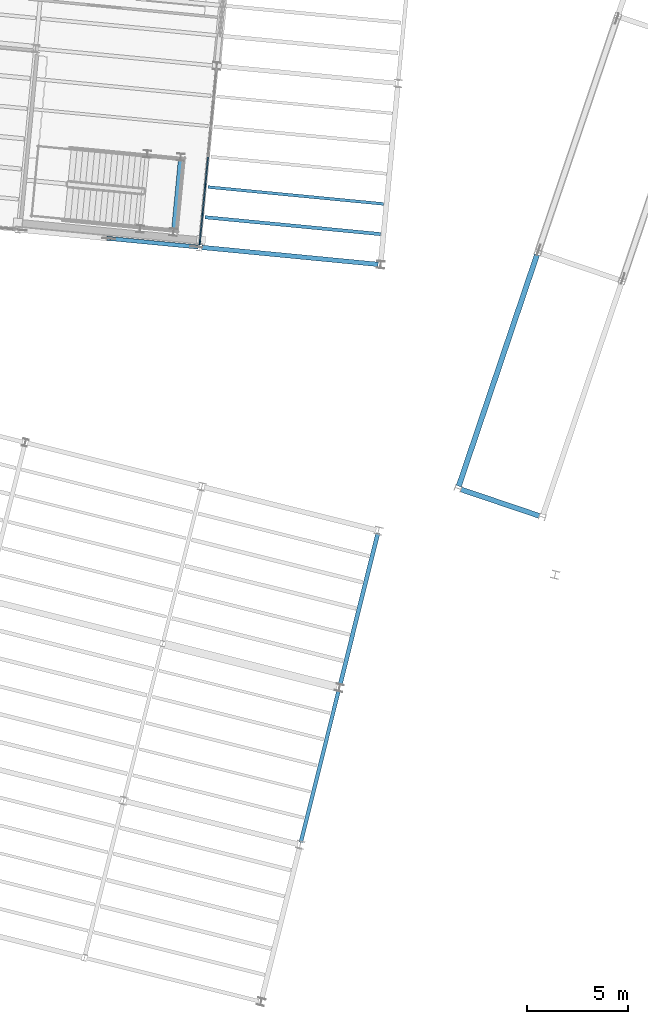
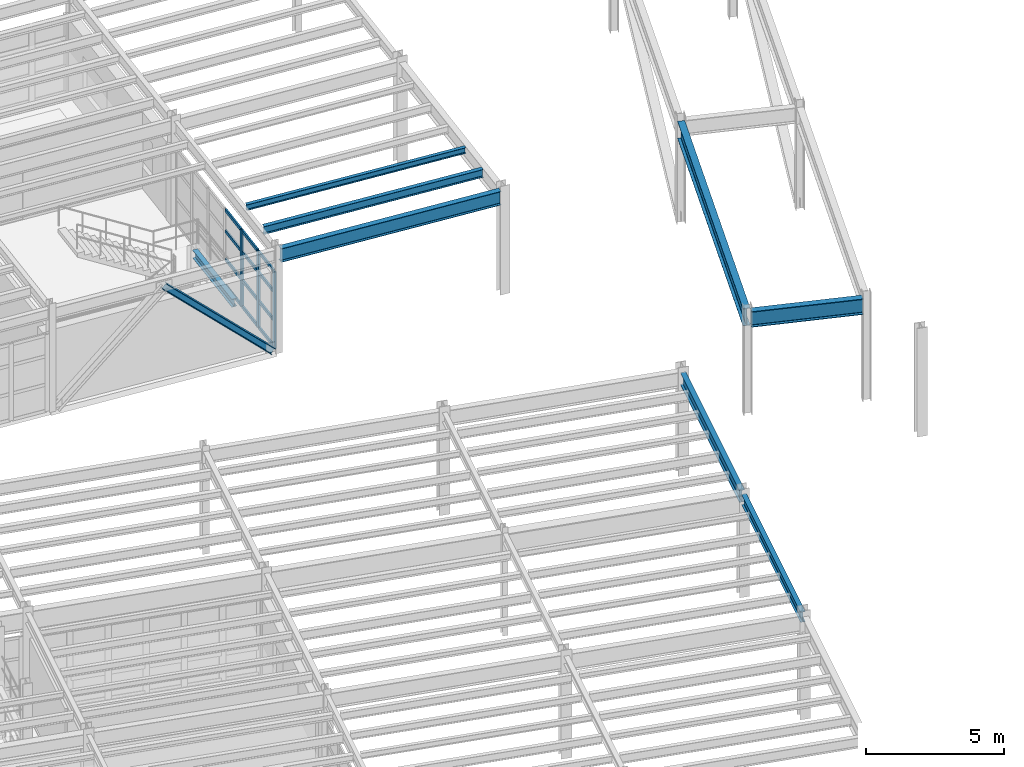
# One storey, part 37 of 109: 16 members, 8 beams, 1 element without a shape of its own.
"""IFC4 building model written with IfcOpenShell, lengths in metres."""

from ifc_helpers import new_model, si_unit, direction, frame, origin, origin_2d, place, context, subcontext, project, spatial, rectangle, i_section, extrude, material, layer, layer_set, material_profile, profile_set, type_object, element, aggregate, save


model = new_model("IFC4")

# Units and contexts
model_context = context("Model", 3, precision=1e-05, world=origin(), true_north=direction((0.0, 1.0)))
body_context = subcontext(model_context, "Body", "Model", "MODEL_VIEW")
ifc_project = project(units=[si_unit("LENGTHUNIT", "METRE"), si_unit("AREAUNIT", "SQUARE_METRE"), si_unit("VOLUMEUNIT", "CUBIC_METRE"), si_unit("PLANEANGLEUNIT", "RADIAN"), si_unit("MASSUNIT", "GRAM", prefix="KILO")], contexts=[model_context])

# Site, building, storey
site_placement = place(None, origin())
site = spatial("IfcSite", under=ifc_project, at=site_placement, CompositionType="ELEMENT")
building_placement = place(site_placement, origin())
building = spatial("IfcBuilding", under=site, at=building_placement, Name="Vireo Bluff Cable Station", CompositionType="ELEMENT")
storey_placement = place(building_placement, frame((0.0, 0.0, 4.800048828125)))
storey = spatial("IfcBuildingStorey", under=building, at=storey_placement, Name="L01", CompositionType="ELEMENT", Elevation=4.800048828125)

# Beam
ifc_material_1 = material(Name="Steel ASTM A992 Gr. 50", Category="steel")
ifc_material_profile_1 = material_profile(ifc_material_1, i_section(OverallWidth=0.2041015625, OverallDepth=0.35009765625, WebThickness=0.008544921875, FlangeThickness=0.01513671875, FilletRadius=0.010009765625, at=origin_2d()), Name="W14X48")
ifc_profile_set_1 = profile_set([ifc_material_profile_1], Name="Steel ASTM A992 Gr. 50")
beam_type_1 = type_object("IfcBeamType", Name="BM-W14X48", PredefinedType="BEAM", material=ifc_profile_set_1)
beam_1_placement = place(storey_placement, frame((93.3427734375, 65.302001953125, 2.02490234375), z_axis=(0.095884154538, 0.995392499926, 0.0), x_axis=(-0.995392499926, 0.095884154538, 0.0)))
element("IfcBeam", 1, at=beam_1_placement, inside=storey, type_object=beam_type_1, Name="ST-11 L01 landing header beam F", PredefinedType="BEAM", context=body_context, shape_type="SweptSolid", body=[
    extrude(i_section(OverallWidth=0.2041015625, OverallDepth=0.35009765625, WebThickness=0.008544921875, FlangeThickness=0.01513671875, FilletRadius=0.010009765625, at=origin_2d()), origin(), (0.0, 0.0, 1.0), 3.43994140625),
])

# Member
ifc_material_profile_2 = material_profile(ifc_material_1, i_section(OverallWidth=0.2041015625, OverallDepth=0.257080078125, WebThickness=0.0087890625, FlangeThickness=0.015625, FilletRadius=0.009033203125, at=origin_2d()), Name="W10X45")
ifc_profile_set_2 = profile_set([ifc_material_profile_2], Name="Steel ASTM A992 Gr. 50")
member_type_1 = type_object("IfcMemberType", Name="BRC-01", PredefinedType="BRACE", material=ifc_profile_set_2)
member_1_placement = place(storey_placement, frame((94.45458984375, 64.431396484375, 0.0400390625), z_axis=(-0.720263828031, 0.069360246565, 0.690224002934), x_axis=(-0.095854965264, -0.995395311238, 0.0)))
element("IfcMember", 2, at=member_1_placement, inside=storey, type_object=member_type_1, Name="V3 L01 concentric brace 54R", PredefinedType="BRACE", context=body_context, shape_type="SweptSolid", body=[
    extrude(i_section(OverallWidth=0.2041015625, OverallDepth=0.257080078125, WebThickness=0.0087890625, FlangeThickness=0.015625, FilletRadius=0.009033203125, at=origin_2d()), origin(), (0.0, 0.0, 1.0), 5.997802734375),
])

# Curtain wall, members
ifc_material_2 = material(Name="Anodized Aluminium 6063-T6", Category="aluminium")
ifc_layer = layer(ifc_material_2, 0.179931640625, Name="Anodized Aluminium 6063-T6")
ifc_layer_set = layer_set([ifc_layer], Name="Anodized Aluminium 6063-T6")
curtain_wall_type = type_object("IfcCurtainWallType", Name="CW-UNIT-1500", PredefinedType="USERDEFINED", material=ifc_layer_set)
curtain_wall_placement = place(storey_placement, origin())
curtain_wall = element("IfcCurtainWall", 3, at=curtain_wall_placement, inside=storey, type_object=curtain_wall_type, Name="V3 L01 east curtain wall CW-076", ObjectType="UNITISED CURTAIN WALL", PredefinedType="USERDEFINED")
ifc_material_profile_3 = material_profile(ifc_material_2, rectangle(XDim=0.06494140625, YDim=0.179931640625, at=origin_2d()), Name="ALU-M-65X180")
ifc_profile_set_3 = profile_set([ifc_material_profile_3], Name="Anodized Aluminium 6063-T6")
member_type_2 = type_object("IfcMemberType", Name="CWM-01", PredefinedType="MULLION", material=ifc_profile_set_3)
member_2_placement = place(storey_placement, frame((94.9072265625, 67.463623046875, 0.0), z_axis=(0.0, 0.0, 1.0), x_axis=(0.995396199521, -0.095845740533, 0.0)))
member_2 = element("IfcMember", 4, at=member_2_placement, type_object=member_type_2, Name="CW-076 mullion 5", PredefinedType="MULLION", context=body_context, shape_type="SweptSolid", body=[
    extrude(rectangle(XDim=0.06494140625, YDim=0.179931640625, at=origin_2d()), origin(), (0.0, 0.0, 1.0), 3.39990234375),
])
member_3_placement = place(storey_placement, frame((94.769287109375, 66.03125, 0.0), z_axis=(0.0, 0.0, 1.0), x_axis=(0.995396199521, -0.095845740533, 0.0)))
member_3 = element("IfcMember", 5, at=member_3_placement, type_object=member_type_2, Name="CW-076 mullion 6", PredefinedType="MULLION", context=body_context, shape_type="SweptSolid", body=[
    extrude(rectangle(XDim=0.06494140625, YDim=0.179931640625, at=origin_2d()), origin(), (0.0, 0.0, 1.0), 3.39990234375),
])
member_4_placement = place(storey_placement, frame((94.634521484375, 64.631103515625, 0.0), z_axis=(0.0, 0.0, 1.0), x_axis=(0.995396199521, -0.095845740533, 0.0)))
member_4 = element("IfcMember", 6, at=member_4_placement, type_object=member_type_2, Name="CW-076 mullion 7", PredefinedType="MULLION", context=body_context, shape_type="SweptSolid", body=[
    extrude(rectangle(XDim=0.06494140625, YDim=0.179931640625, at=origin_2d()), origin(), (0.0, 0.0, 1.0), 3.39990234375),
])
ifc_material_profile_4 = material_profile(ifc_material_2, rectangle(XDim=0.06494140625, YDim=0.139892578125, at=origin_2d()), Name="ALU-T-65X140")
ifc_profile_set_4 = profile_set([ifc_material_profile_4], Name="Anodized Aluminium 6063-T6")
member_type_3 = type_object("IfcMemberType", Name="CWT-01", PredefinedType="USERDEFINED", material=ifc_profile_set_4)
member_5_placement = place(storey_placement, frame((95.0419921875, 68.86376953125, 0.032470703125), z_axis=(-0.095756413602, -0.99540479668, 0.0), x_axis=(0.99540479668, -0.095756413602, 0.0)))
member_5 = element("IfcMember", 7, at=member_5_placement, type_object=member_type_3, Name="CW-076 transom 4.1", ObjectType="TRANSOM", PredefinedType="USERDEFINED", context=body_context, shape_type="SweptSolid", body=[
    extrude(rectangle(XDim=0.06494140625, YDim=0.139892578125, at=origin_2d()), origin(), (0.0, 0.0, 1.0), 1.374267578125),
])
member_6_placement = place(storey_placement, frame((95.0419921875, 68.86376953125, 1.18994140625), z_axis=(-0.095756413602, -0.99540479668, 0.0), x_axis=(0.99540479668, -0.095756413602, 0.0)))
member_6 = element("IfcMember", 8, at=member_6_placement, type_object=member_type_3, Name="CW-076 transom 4.2", ObjectType="TRANSOM", PredefinedType="USERDEFINED", context=body_context, shape_type="SweptSolid", body=[
    extrude(rectangle(XDim=0.06494140625, YDim=0.139892578125, at=origin_2d()), origin(), (0.0, 0.0, 1.0), 1.374267578125),
])
member_7_placement = place(storey_placement, frame((95.0419921875, 68.86376953125, 2.447998046875), z_axis=(-0.095756413602, -0.99540479668, 0.0), x_axis=(0.99540479668, -0.095756413602, 0.0)))
member_7 = element("IfcMember", 9, at=member_7_placement, type_object=member_type_3, Name="CW-076 transom 4.3", ObjectType="TRANSOM", PredefinedType="USERDEFINED", context=body_context, shape_type="SweptSolid", body=[
    extrude(rectangle(XDim=0.06494140625, YDim=0.139892578125, at=origin_2d()), origin(), (0.0, 0.0, 1.0), 1.374267578125),
])
member_8_placement = place(storey_placement, frame((95.0419921875, 68.86376953125, 3.367431640625), z_axis=(-0.095756413602, -0.99540479668, 0.0), x_axis=(0.99540479668, -0.095756413602, 0.0)))
member_8 = element("IfcMember", 10, at=member_8_placement, type_object=member_type_3, Name="CW-076 transom 4.4", ObjectType="TRANSOM", PredefinedType="USERDEFINED", context=body_context, shape_type="SweptSolid", body=[
    extrude(rectangle(XDim=0.06494140625, YDim=0.139892578125, at=origin_2d()), origin(), (0.0, 0.0, 1.0), 1.374267578125),
])
member_9_placement = place(storey_placement, frame((94.904052734375, 67.43115234375, 0.032470703125), z_axis=(-0.095773350082, -0.995403167271, 0.0), x_axis=(0.995403167271, -0.095773350082, 0.0)))
member_9 = element("IfcMember", 11, at=member_9_placement, type_object=member_type_3, Name="CW-076 transom 5.1", ObjectType="TRANSOM", PredefinedType="USERDEFINED", context=body_context, shape_type="SweptSolid", body=[
    extrude(rectangle(XDim=0.06494140625, YDim=0.139892578125, at=origin_2d()), origin(), (0.0, 0.0, 1.0), 1.3740234375),
])
member_10_placement = place(storey_placement, frame((94.904052734375, 67.43115234375, 1.18994140625), z_axis=(-0.095773350082, -0.995403167271, 0.0), x_axis=(0.995403167271, -0.095773350082, 0.0)))
member_10 = element("IfcMember", 12, at=member_10_placement, type_object=member_type_3, Name="CW-076 transom 5.2", ObjectType="TRANSOM", PredefinedType="USERDEFINED", context=body_context, shape_type="SweptSolid", body=[
    extrude(rectangle(XDim=0.06494140625, YDim=0.139892578125, at=origin_2d()), origin(), (0.0, 0.0, 1.0), 1.3740234375),
])
member_11_placement = place(storey_placement, frame((94.904052734375, 67.43115234375, 2.447998046875), z_axis=(-0.095773350082, -0.995403167271, 0.0), x_axis=(0.995403167271, -0.095773350082, 0.0)))
member_11 = element("IfcMember", 13, at=member_11_placement, type_object=member_type_3, Name="CW-076 transom 5.3", ObjectType="TRANSOM", PredefinedType="USERDEFINED", context=body_context, shape_type="SweptSolid", body=[
    extrude(rectangle(XDim=0.06494140625, YDim=0.139892578125, at=origin_2d()), origin(), (0.0, 0.0, 1.0), 1.3740234375),
])
member_12_placement = place(storey_placement, frame((94.904052734375, 67.43115234375, 3.367431640625), z_axis=(-0.095773350082, -0.995403167271, 0.0), x_axis=(0.995403167271, -0.095773350082, 0.0)))
member_12 = element("IfcMember", 14, at=member_12_placement, type_object=member_type_3, Name="CW-076 transom 5.4", ObjectType="TRANSOM", PredefinedType="USERDEFINED", context=body_context, shape_type="SweptSolid", body=[
    extrude(rectangle(XDim=0.06494140625, YDim=0.139892578125, at=origin_2d()), origin(), (0.0, 0.0, 1.0), 1.3740234375),
])
member_13_placement = place(storey_placement, frame((94.76611328125, 65.998779296875, 0.032470703125), z_axis=(-0.095719341599, -0.995408362253, 0.0), x_axis=(0.995408362253, -0.095719341599, 0.0)))
member_13 = element("IfcMember", 15, at=member_13_placement, type_object=member_type_3, Name="CW-076 transom 6.1", ObjectType="TRANSOM", PredefinedType="USERDEFINED", context=body_context, shape_type="SweptSolid", body=[
    extrude(rectangle(XDim=0.06494140625, YDim=0.139892578125, at=origin_2d()), origin(), (0.0, 0.0, 1.0), 1.341552734375),
])
member_14_placement = place(storey_placement, frame((94.76611328125, 65.998779296875, 1.18994140625), z_axis=(-0.095719341599, -0.995408362253, 0.0), x_axis=(0.995408362253, -0.095719341599, 0.0)))
member_14 = element("IfcMember", 16, at=member_14_placement, type_object=member_type_3, Name="CW-076 transom 6.2", ObjectType="TRANSOM", PredefinedType="USERDEFINED", context=body_context, shape_type="SweptSolid", body=[
    extrude(rectangle(XDim=0.06494140625, YDim=0.139892578125, at=origin_2d()), origin(), (0.0, 0.0, 1.0), 1.341552734375),
])
member_15_placement = place(storey_placement, frame((94.76611328125, 65.998779296875, 2.447998046875), z_axis=(-0.095719341599, -0.995408362253, 0.0), x_axis=(0.995408362253, -0.095719341599, 0.0)))
member_15 = element("IfcMember", 17, at=member_15_placement, type_object=member_type_3, Name="CW-076 transom 6.3", ObjectType="TRANSOM", PredefinedType="USERDEFINED", context=body_context, shape_type="SweptSolid", body=[
    extrude(rectangle(XDim=0.06494140625, YDim=0.139892578125, at=origin_2d()), origin(), (0.0, 0.0, 1.0), 1.341552734375),
])
member_16_placement = place(storey_placement, frame((94.76611328125, 65.998779296875, 3.367431640625), z_axis=(-0.095719341599, -0.995408362253, 0.0), x_axis=(0.995408362253, -0.095719341599, 0.0)))
member_16 = element("IfcMember", 18, at=member_16_placement, type_object=member_type_3, Name="CW-076 transom 6.4", ObjectType="TRANSOM", PredefinedType="USERDEFINED", context=body_context, shape_type="SweptSolid", body=[
    extrude(rectangle(XDim=0.06494140625, YDim=0.139892578125, at=origin_2d()), origin(), (0.0, 0.0, 1.0), 1.341552734375),
])
aggregate(curtain_wall, [member_2, member_3, member_4, member_5, member_6, member_7, member_8, member_9, member_10, member_11, member_12, member_13, member_14, member_15, member_16])

# Beams
ifc_material_profile_5 = material_profile(ifc_material_1, i_section(OverallWidth=0.257080078125, OverallDepth=0.693115234375, WebThickness=0.014404296875, FlangeThickness=0.023681640625, FilletRadius=0.014892578125, at=origin_2d()), Name="W27X114")
ifc_profile_set_5 = profile_set([ifc_material_profile_5], Name="Steel ASTM A992 Gr. 50")
beam_type_2 = type_object("IfcBeamType", Name="EXTGIR-W27X114", PredefinedType="USERDEFINED", material=ifc_profile_set_5)
beam_2_placement = place(storey_placement, frame((111.4423828125, 51.12451171875, 4.195068359375), z_axis=(-0.947298947098, 0.320350908892, 0.0), x_axis=(-0.320350908892, -0.947298947098, 0.0)))
element("IfcBeam", 19, at=beam_2_placement, inside=storey, type_object=beam_type_2, Name="HAUL-DRIVE skybridge bent cap 1 L01", ObjectType="GIRDER", PredefinedType="USERDEFINED", context=body_context, shape_type="SweptSolid", body=[
    extrude(i_section(OverallWidth=0.257080078125, OverallDepth=0.693115234375, WebThickness=0.014404296875, FlangeThickness=0.023681640625, FilletRadius=0.014892578125, at=origin_2d()), origin(), (0.0, 0.0, 1.0), 4.135986328125),
])
ifc_material_profile_6 = material_profile(ifc_material_1, i_section(OverallWidth=0.26708984375, OverallDepth=0.77001953125, WebThickness=0.015625, FlangeThickness=0.025390625, FilletRadius=0.01611328125, at=origin_2d()), Name="W30X132")
ifc_profile_set_6 = profile_set([ifc_material_profile_6], Name="Steel ASTM A992 Gr. 50")
beam_type_3 = type_object("IfcBeamType", Name="EXTGIR-W30X132", PredefinedType="USERDEFINED", material=ifc_profile_set_6)
beam_3_placement = place(storey_placement, frame((107.437744140625, 52.60546875, 4.159912109375), z_axis=(0.320367327519, 0.947293394603, 0.0), x_axis=(-0.947293394603, 0.320367327519, 0.0)))
element("IfcBeam", 20, at=beam_3_placement, inside=storey, type_object=beam_type_3, Name="HAUL-DRIVE skybridge floor girder 1R", ObjectType="GIRDER", PredefinedType="USERDEFINED", context=body_context, shape_type="SweptSolid", body=[
    extrude(i_section(OverallWidth=0.26708984375, OverallDepth=0.77001953125, WebThickness=0.015625, FlangeThickness=0.025390625, FilletRadius=0.01611328125, at=origin_2d()), origin(), (0.0, 0.0, 1.0), 12.07568359375),
])
ifc_material_profile_7 = material_profile(ifc_material_1, i_section(OverallWidth=0.14599609375, OverallDepth=0.259033203125, WebThickness=0.006103515625, FlangeThickness=0.009033203125, FilletRadius=0.009033203125, at=origin_2d()), Name="W10X22")
ifc_profile_set_7 = profile_set([ifc_material_profile_7], Name="Steel ASTM A992 Gr. 50")
beam_type_4 = type_object("IfcBeamType", Name="JST-W10X22", PredefinedType="JOIST", material=ifc_profile_set_7)
beam_4_placement = place(storey_placement, frame((95.040771484375, 67.388916015625, 4.410400390625), z_axis=(0.995394243516, -0.095866052256, 0.0), x_axis=(0.095866052256, 0.995394243516, 0.0)))
element("IfcBeam", 21, at=beam_4_placement, inside=storey, type_object=beam_type_4, Name="V3 L01 composite joist 688", PredefinedType="JOIST", context=body_context, shape_type="SweptSolid", body=[
    extrude(i_section(OverallWidth=0.14599609375, OverallDepth=0.259033203125, WebThickness=0.006103515625, FlangeThickness=0.009033203125, FilletRadius=0.009033203125, at=origin_2d()), origin(), (0.0, 0.0, 1.0), 8.719970703125),
])
ifc_material_profile_8 = material_profile(ifc_material_1, i_section(OverallWidth=0.1708984375, OverallDepth=0.35107421875, WebThickness=0.0068359375, FlangeThickness=0.009765625, FilletRadius=0.010009765625, at=origin_2d()), Name="W14X30")
ifc_profile_set_8 = profile_set([ifc_material_profile_8], Name="Steel ASTM A992 Gr. 50")
beam_type_5 = type_object("IfcBeamType", Name="JST-W14X30", PredefinedType="JOIST", material=ifc_profile_set_8)
beam_5_placement = place(storey_placement, frame((94.89697265625, 65.895751953125, 4.364501953125), z_axis=(0.995396914857, -0.095838311194, 0.0), x_axis=(0.095838311194, 0.995396914857, 0.0)))
element("IfcBeam", 22, at=beam_5_placement, inside=storey, type_object=beam_type_5, Name="V3 L01 composite joist 687", PredefinedType="JOIST", context=body_context, shape_type="SweptSolid", body=[
    extrude(i_section(OverallWidth=0.1708984375, OverallDepth=0.35107421875, WebThickness=0.0068359375, FlangeThickness=0.009765625, FilletRadius=0.010009765625, at=origin_2d()), origin(), (0.0, 0.0, 1.0), 8.7197265625),
])
ifc_material_profile_9 = material_profile(ifc_material_1, i_section(OverallWidth=0.19091796875, OverallDepth=0.45703125, WebThickness=0.009033203125, FlangeThickness=0.014404296875, FilletRadius=0.011962890625, at=origin_2d()), Name="W18X50")
ifc_profile_set_9 = profile_set([ifc_material_profile_9], Name="Steel ASTM A992 Gr. 50")
beam_type_6 = type_object("IfcBeamType", Name="SPN-W18X50", PredefinedType="SPANDREL", material=ifc_profile_set_9)
beam_6_placement = place(storey_placement, frame((99.627685546875, 34.992431640625, 4.3115234375), z_axis=(0.241943352562, 0.970290376203, 0.0), x_axis=(-0.970290376203, 0.241943352562, 0.0)))
element("IfcBeam", 23, at=beam_6_placement, inside=storey, type_object=beam_type_6, Name="V1 L01 spandrel 76", PredefinedType="SPANDREL", context=body_context, shape_type="SweptSolid", body=[
    extrude(i_section(OverallWidth=0.19091796875, OverallDepth=0.45703125, WebThickness=0.009033203125, FlangeThickness=0.014404296875, FilletRadius=0.011962890625, at=origin_2d()), origin(), (0.0, 0.0, 1.0), 7.759765625),
])
ifc_material_profile_10 = material_profile(ifc_material_1, i_section(OverallWidth=0.2099609375, OverallDepth=0.535888671875, WebThickness=0.010986328125, FlangeThickness=0.017333984375, FilletRadius=0.012939453125, at=origin_2d()), Name="W21X68")
ifc_profile_set_10 = profile_set([ifc_material_profile_10], Name="Steel ASTM A992 Gr. 50")
beam_type_7 = type_object("IfcBeamType", Name="SPN-W21X68", PredefinedType="SPANDREL", material=ifc_profile_set_10)
beam_7_placement = place(storey_placement, frame((101.56298828125, 42.754638671875, 4.27197265625), z_axis=(0.241935966891, 0.970292217801, 0.0), x_axis=(-0.970292217801, 0.241935966891, 0.0)))
element("IfcBeam", 24, at=beam_7_placement, inside=storey, type_object=beam_type_7, Name="V1 L01 spandrel 77", PredefinedType="SPANDREL", context=body_context, shape_type="SweptSolid", body=[
    extrude(i_section(OverallWidth=0.2099609375, OverallDepth=0.535888671875, WebThickness=0.010986328125, FlangeThickness=0.017333984375, FilletRadius=0.012939453125, at=origin_2d()), origin(), (0.0, 0.0, 1.0), 7.760009765625),
])
ifc_material_profile_11 = material_profile(ifc_material_1, i_section(OverallWidth=0.22802734375, OverallDepth=0.60693359375, WebThickness=0.01123046875, FlangeThickness=0.017333984375, FilletRadius=0.012939453125, at=origin_2d()), Name="W24X76")
ifc_profile_set_11 = profile_set([ifc_material_profile_11], Name="Steel ASTM A992 Gr. 50")
beam_type_8 = type_object("IfcBeamType", Name="SPN-W24X76", PredefinedType="SPANDREL", material=ifc_profile_set_11)
beam_8_placement = place(storey_placement, frame((94.733154296875, 64.404541015625, 4.236572265625), z_axis=(0.995396356957, -0.095844105487, 0.0), x_axis=(0.095844105487, 0.995396356957, 0.0)))
element("IfcBeam", 25, at=beam_8_placement, inside=storey, type_object=beam_type_8, Name="V3 L01 spandrel 646", PredefinedType="SPANDREL", context=body_context, shape_type="SweptSolid", body=[
    extrude(i_section(OverallWidth=0.22802734375, OverallDepth=0.60693359375, WebThickness=0.01123046875, FlangeThickness=0.017333984375, FilletRadius=0.012939453125, at=origin_2d()), origin(), (0.0, 0.0, 1.0), 8.760009765625),
])

save(model, "model.ifc")
